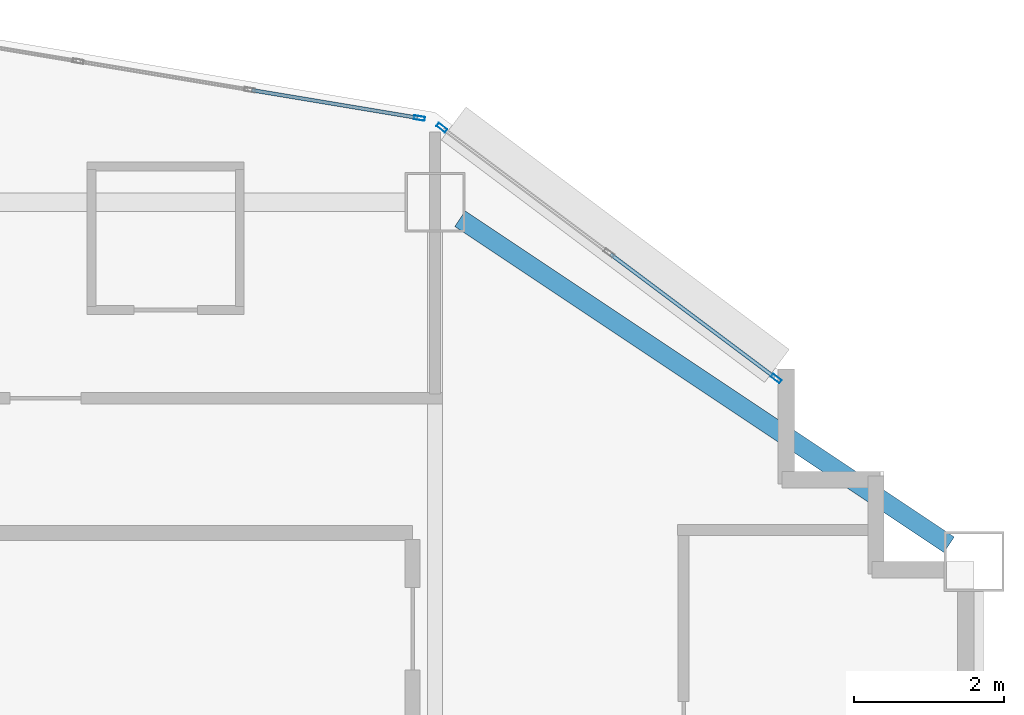
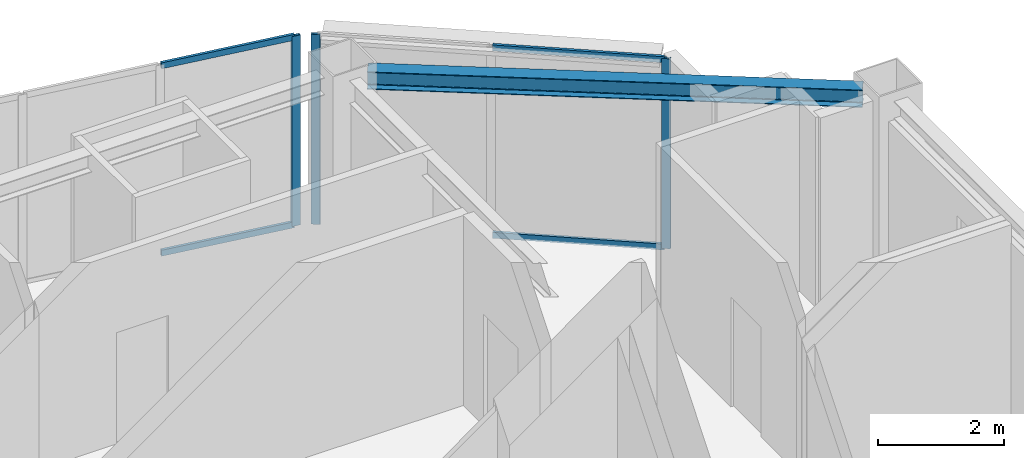
# One storey, part 3 of 11: 7 members, 1 beam, 2 elements without a shape of their own.
"""IFC4 building model written with IfcOpenShell, lengths in metres."""

from ifc_helpers import new_model, si_unit, direction, frame, origin, origin_2d, place, context, subcontext, project, spatial, hollow_rectangle, i_section, extrude, material, layer, layer_set, material_profile, profile_set, type_object, element, aggregate, save


model = new_model("IFC4")

# Units and contexts
model_context = context("Model", 3, precision=1e-05, world=origin(), true_north=direction((0.0, 1.0)))
body_context = subcontext(model_context, "Body", "Model", "MODEL_VIEW")
ifc_project = project(units=[si_unit("LENGTHUNIT", "METRE"), si_unit("AREAUNIT", "SQUARE_METRE"), si_unit("VOLUMEUNIT", "CUBIC_METRE"), si_unit("PLANEANGLEUNIT", "RADIAN"), si_unit("MASSUNIT", "GRAM", prefix="KILO")], contexts=[model_context])

# Site, building, storey
site_placement = place(None, origin())
site = spatial("IfcSite", under=ifc_project, at=site_placement, CompositionType="ELEMENT")
building_placement = place(site_placement, origin())
building = spatial("IfcBuilding", under=site, at=building_placement, Name="Haolan Belvedere Tower", CompositionType="ELEMENT")
storey_placement = place(building_placement, frame((0.0, 0.0, 254.449951171875)))
storey = spatial("IfcBuildingStorey", under=building, at=storey_placement, Name="L64", CompositionType="ELEMENT", Elevation=254.449951171875)

# Beam
ifc_material_1 = material(Name="Steel Q355B", Category="steel")
ifc_material_profile_1 = material_profile(ifc_material_1, i_section(OverallWidth=0.25, OverallDepth=0.340087890625, WebThickness=0.009033203125, FlangeThickness=0.013916015625, FilletRadius=0.02001953125, at=origin_2d()), Name="Steel Q355B")
ifc_profile_set_1 = profile_set([ifc_material_profile_1], Name="Steel Q355B")
beam_type = type_object("IfcBeamType", Name="BM-HM340x250x9x14", PredefinedType="SPANDREL", material=ifc_profile_set_1)
beam_placement = place(storey_placement, frame((45.932861328125, 50.17822265625, 3.5), z_axis=(0.832040729016, -0.55471454394, 0.0), x_axis=(0.55471454394, 0.832040729016, 0.0)))
element("IfcBeam", 1, at=beam_placement, inside=storey, type_object=beam_type, Name="L64 spandrel girder MC-T3-N2-MC-T3-NE", PredefinedType="SPANDREL", context=body_context, shape_type="SweptSolid", body=[
    extrude(i_section(OverallWidth=0.25, OverallDepth=0.340087890625, WebThickness=0.009033203125, FlangeThickness=0.013916015625, FilletRadius=0.02001953125, at=origin_2d()), origin(), (0.0, 0.0, 1.0), 7.853515625),
])

# Curtain wall, members
ifc_material_2 = material(Name="Anodised champagne-silver aluminium 6063-T6 and Low-E glass", Category="aluminium")
ifc_layer = layer(ifc_material_2, 0.14501953125, Name="Anodised champagne-silver aluminium 6063-T6 and Low-E glass")
ifc_layer_set = layer_set([ifc_layer], Name="Anodised champagne-silver aluminium 6063-T6 and Low-E glass")
curtain_wall_type = type_object("IfcCurtainWallType", Name="CW-SYS-05", PredefinedType="NOTDEFINED", material=ifc_layer_set)
curtain_wall_1_placement = place(storey_placement, origin())
curtain_wall_1 = element("IfcCurtainWall", 2, at=curtain_wall_1_placement, inside=storey, type_object=curtain_wall_type, Name="L64 CW-SYS-05 ribbon curtain wall 8.1", PredefinedType="NOTDEFINED")
ifc_material_3 = material(Name="Anodised aluminium 6063-T6", Category="aluminium")
ifc_material_profile_2 = material_profile(ifc_material_3, hollow_rectangle(XDim=0.053955078125, YDim=0.14501953125, WallThickness=0.00390625, at=origin_2d()), Name="Anodised aluminium 6063-T6")
ifc_profile_set_2 = profile_set([ifc_material_profile_2], Name="Anodised aluminium 6063-T6")
member_type_1 = type_object("IfcMemberType", Name="CW-SYS-05-MUL", PredefinedType="MULLION", material=ifc_profile_set_2)
member_1_placement = place(storey_placement, frame((50.156494140625, 48.045166015625, 0.0), z_axis=(0.0, 0.0, 1.0), x_axis=(-0.600002837806, -0.799997871638, 0.0)))
member_1 = element("IfcMember", 3, at=member_1_placement, type_object=member_type_1, Name="CW-05 mullion 1", PredefinedType="MULLION", context=body_context, shape_type="SweptSolid", body=[
    extrude(hollow_rectangle(XDim=0.053955078125, YDim=0.14501953125, WallThickness=0.00390625, at=origin_2d()), origin(), (0.0, 0.0, 1.0), 3.670166015625),
])
member_2_placement = place(storey_placement, frame((45.689208984375, 51.395751953125, 0.0), z_axis=(0.0, 0.0, 1.0), x_axis=(-0.600002837806, -0.799997871638, 0.0)))
member_2 = element("IfcMember", 4, at=member_2_placement, type_object=member_type_1, Name="CW-05 mullion 3", PredefinedType="MULLION", context=body_context, shape_type="SweptSolid", body=[
    extrude(hollow_rectangle(XDim=0.053955078125, YDim=0.14501953125, WallThickness=0.00390625, at=origin_2d()), origin(), (0.0, 0.0, 1.0), 3.670166015625),
])

# Curtain wall, member
curtain_wall_2_placement = place(storey_placement, origin())
curtain_wall_2 = element("IfcCurtainWall", 5, at=curtain_wall_2_placement, inside=storey, type_object=curtain_wall_type, Name="L64 CW-SYS-05 ribbon curtain wall 9.1", PredefinedType="NOTDEFINED")
member_3_placement = place(storey_placement, frame((45.390869140625, 51.5234375, 0.0), z_axis=(0.0, 0.0, 1.0), x_axis=(-0.164405962825, -0.98639276122, 0.0)))
member_3 = element("IfcMember", 6, at=member_3_placement, type_object=member_type_1, Name="CW-05 mullion 1", PredefinedType="MULLION", context=body_context, shape_type="SweptSolid", body=[
    extrude(hollow_rectangle(XDim=0.053955078125, YDim=0.14501953125, WallThickness=0.00390625, at=origin_2d()), origin(), (0.0, 0.0, 1.0), 3.670166015625),
])

# Member
ifc_material_profile_3 = material_profile(ifc_material_3, hollow_rectangle(XDim=0.050048828125, YDim=0.114990234375, WallThickness=0.00390625, at=origin_2d()), Name="Anodised aluminium 6063-T6")
ifc_profile_set_3 = profile_set([ifc_material_profile_3], Name="Anodised aluminium 6063-T6")
member_type_2 = type_object("IfcMemberType", Name="CW-SYS-05-TRN", PredefinedType="USERDEFINED", material=ifc_profile_set_3)
member_4_placement = place(storey_placement, frame((50.134765625, 48.061279296875, 0.025146484375), z_axis=(-0.799957200433, 0.60005706185, 0.0), x_axis=(-0.60005706185, -0.799957200433, 0.0)))
member_4 = element("IfcMember", 7, at=member_4_placement, type_object=member_type_2, Name="CW-05 transom 1.1", ObjectType="TRANSOM", PredefinedType="USERDEFINED", context=body_context, shape_type="SweptSolid", body=[
    extrude(hollow_rectangle(XDim=0.050048828125, YDim=0.114990234375, WallThickness=0.00390625, at=origin_2d()), origin(), (0.0, 0.0, 1.0), 2.73828125),
])

member_5_placement = place(storey_placement, frame((50.134765625, 48.061279296875, 3.64501953125), z_axis=(-0.799957200433, 0.60005706185, 0.0), x_axis=(-0.60005706185, -0.799957200433, 0.0)))
member_5 = element("IfcMember", 8, at=member_5_placement, type_object=member_type_2, Name="CW-05 transom 1.2", ObjectType="TRANSOM", PredefinedType="USERDEFINED", context=body_context, shape_type="SweptSolid", body=[
    extrude(hollow_rectangle(XDim=0.050048828125, YDim=0.114990234375, WallThickness=0.00390625, at=origin_2d()), origin(), (0.0, 0.0, 1.0), 2.73828125),
])

aggregate(curtain_wall_1, [member_1, member_2, member_4, member_5])

member_6_placement = place(storey_placement, frame((45.364013671875, 51.52783203125, 0.025146484375), z_axis=(-0.986390982779, 0.164416632651, 0.0), x_axis=(-0.164416632651, -0.986390982779, 0.0)))
member_6 = element("IfcMember", 9, at=member_6_placement, type_object=member_type_2, Name="CW-05 transom 1.1", ObjectType="TRANSOM", PredefinedType="USERDEFINED", context=body_context, shape_type="SweptSolid", body=[
    extrude(hollow_rectangle(XDim=0.050048828125, YDim=0.114990234375, WallThickness=0.00390625, at=origin_2d()), origin(), (0.0, 0.0, 1.0), 2.24365234375),
])

member_7_placement = place(storey_placement, frame((45.364013671875, 51.52783203125, 3.64501953125), z_axis=(-0.986390982779, 0.164416632651, 0.0), x_axis=(-0.164416632651, -0.986390982779, 0.0)))
member_7 = element("IfcMember", 10, at=member_7_placement, type_object=member_type_2, Name="CW-05 transom 1.2", ObjectType="TRANSOM", PredefinedType="USERDEFINED", context=body_context, shape_type="SweptSolid", body=[
    extrude(hollow_rectangle(XDim=0.050048828125, YDim=0.114990234375, WallThickness=0.00390625, at=origin_2d()), origin(), (0.0, 0.0, 1.0), 2.24365234375),
])

aggregate(curtain_wall_2, [member_3, member_6, member_7])

save(model, "model.ifc")
